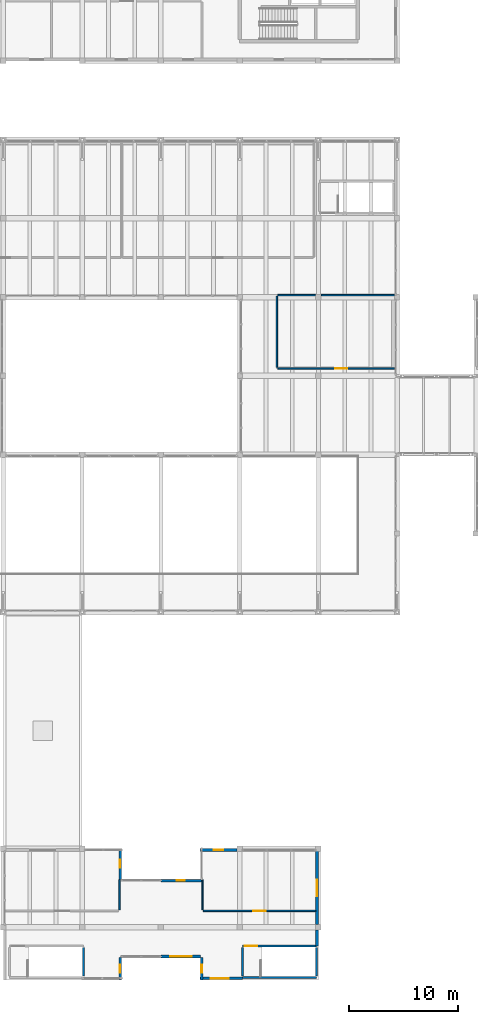
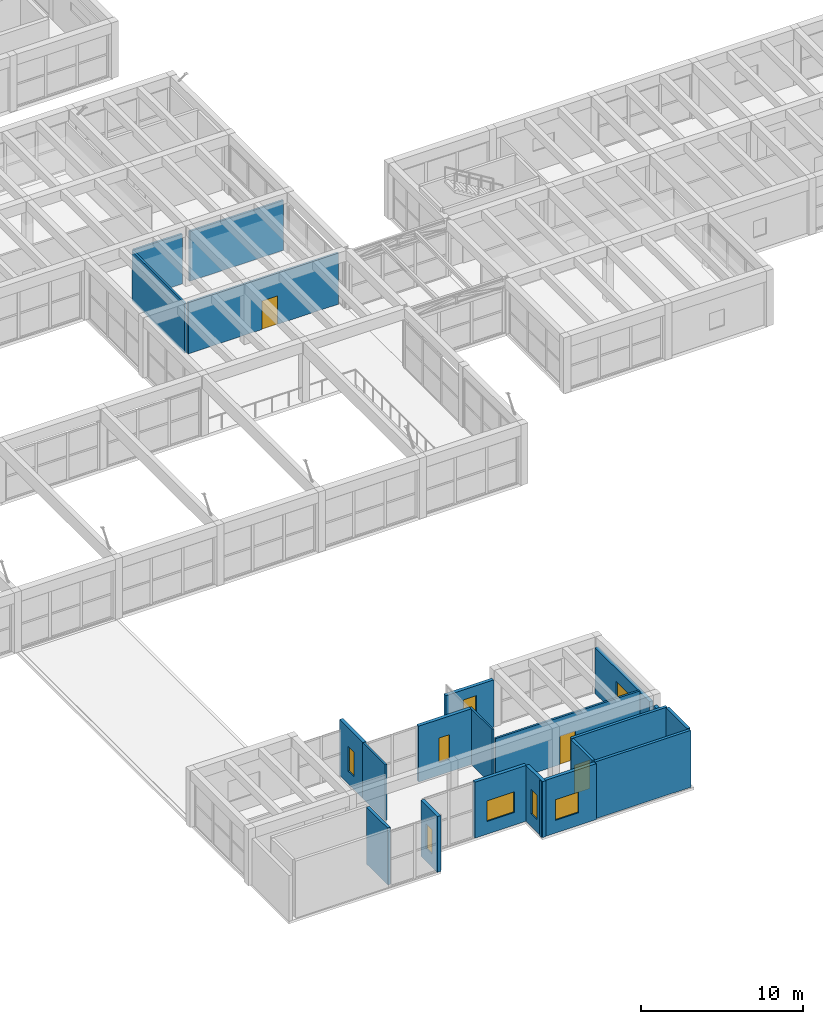
# One storey, part 136 of 153: 21 walls, 8 windows, 3 doors, 11 openings.
"""IFC4 building model written with IfcOpenShell, lengths in metres."""

from ifc_helpers import new_model, si_unit, direction, frame, frame_2d, origin, place, context, subcontext, project, spatial, rectangle, extrude, material, layer, layer_set, type_object, element, fill, save


model = new_model("IFC4")

# Units and contexts
model_context = context("Model", 3, precision=1e-05, world=origin(), true_north=direction((0.0, 1.0)))
body_context = subcontext(model_context, "Body", "Model", "MODEL_VIEW")
ifc_project = project(units=[si_unit("LENGTHUNIT", "METRE"), si_unit("AREAUNIT", "SQUARE_METRE"), si_unit("VOLUMEUNIT", "CUBIC_METRE"), si_unit("PLANEANGLEUNIT", "RADIAN"), si_unit("MASSUNIT", "GRAM", prefix="KILO")], contexts=[model_context])

# Site, building, storey
site_placement = place(None, origin())
site = spatial("IfcSite", under=ifc_project, at=site_placement, CompositionType="ELEMENT")
building_placement = place(site_placement, origin())
building = spatial("IfcBuilding", under=site, at=building_placement, Name="Bramvelor Terrace Health Centre", CompositionType="ELEMENT")
storey_placement = place(building_placement, frame((0.0, 0.0, 4.800048828125)))
storey = spatial("IfcBuildingStorey", under=building, at=storey_placement, Name="L02", CompositionType="ELEMENT", Elevation=4.800048828125)

# Walls
ifc_material_1 = material(Name="Acoustic clinical partition board", Category="gypsum")
ifc_layer_1 = layer(ifc_material_1, 0.1298828125)
ifc_layer_set_1 = layer_set([ifc_layer_1], Name="Acoustic clinical partition board")
wall_type_1 = type_object("IfcWallType", Name="WL-CLN-130", PredefinedType="PARTITIONING", material=ifc_layer_set_1)
for number, where, z_axis, x_axis, name in (
    (1, (68.199951171875, 11.55078125, 0.0), (0.0, 0.0, 1.0), (0.0, -1.0, 0.0), "L02 Interior Partition 184"),
    (2, (75.800048828125, 8.7919921875, 0.0), (0.0, 0.0, 1.0), (0.0, 1.0, 0.0), "L02 Interior Partition 187"),
):
    element("IfcWall", number, at=place(storey_placement, frame(where, z_axis=z_axis, x_axis=x_axis)), inside=storey, type_object=wall_type_1, Name=name, PredefinedType="PARTITIONING", context=body_context, shape_type="SweptSolid", body=[
        extrude(rectangle(XDim=2.7587890625, YDim=0.1298828125, at=frame_2d((1.37939453125, 0.0))), origin(), (0.0, 0.0, 1.0), 4.199951171875),
    ])

# Wall, opening, door
ifc_material_2 = material(Name="Fire-rated gypsum and mineral wool", Category="gypsum")
ifc_layer_2 = layer(ifc_material_2, 0.139892578125)
ifc_layer_set_2 = layer_set([ifc_layer_2], Name="Fire-rated gypsum and mineral wool")
wall_type_2 = type_object("IfcWallType", Name="WL-COR-140", PredefinedType="PARTITIONING", material=ifc_layer_set_2)
wall_1_placement = place(storey_placement, frame((93.3701171875, 58.302001953125, 0.0), z_axis=(0.0, 0.0, 1.0), x_axis=(-1.0, 0.0, 0.0)))
wall_1 = element("IfcWall", 3, at=wall_1_placement, inside=storey, type_object=wall_type_2, Name="L02 Interior Partition 163", PredefinedType="PARTITIONING", context=body_context, shape_type="SweptSolid", body=[
    extrude(rectangle(XDim=10.67822265625, YDim=0.139892578125, at=frame_2d((5.339111328125, 0.0))), origin(), (0.0, 0.0, 1.0), 3.849853515625),
])
opening_1_placement = place(wall_1_placement, frame((4.3291015625, 0.0, 0.0)))
opening_1 = element("IfcOpeningElement", 4, at=opening_1_placement, cuts=wall_1, Name="Opening FD-06", PredefinedType="OPENING", context=body_context, shape_type="SweptSolid", body=[
    extrude(rectangle(XDim=1.1201171875, YDim=2.139892578125, at=frame_2d((0.56005859375, 1.06982421875))), frame((0.0, 0.079833984375, 0.0), z_axis=(0.0, -1.0, 0.0), x_axis=(1.0, 0.0, 0.0)), (0.0, 0.0, 1.0), 0.159912109375),
])
ifc_material_3 = material(Name="Fire-rated steel and vision panel", Category="steel")
door_type = type_object("IfcDoorType", Name="DR-FD60-112", OperationType="NOTDEFINED", PredefinedType="DOOR", material=ifc_material_3)
door_1_placement = place(opening_1_placement, origin())
door_1 = element("IfcDoor", 5, at=door_1_placement, inside=storey, type_object=door_type, Name="L02 Preventive Cardiology and Spirometry Clinic Fire Door", OperationType="SINGLE_SWING_RIGHT", OverallHeight=2.139892578125, OverallWidth=1.1201171875, PredefinedType="DOOR", context=body_context, shape_type="SweptSolid", body=[
    extrude(rectangle(XDim=1.1201171875, YDim=2.139892578125, at=frame_2d((0.56005859375, 1.06982421875))), frame((0.0, 0.02490234375, 0.0), z_axis=(0.0, -1.0, 0.0), x_axis=(1.0, 0.0, 0.0)), (0.0, 0.0, 1.0), 0.050048828125),
])
fill(opening_1, door_1)

# Walls
wall_2_placement = place(storey_placement, frame((82.60205078125, 58.39208984375, 0.0), z_axis=(0.0, 0.0, 1.0), x_axis=(0.0, 1.0, 0.0)))
element("IfcWall", 6, at=wall_2_placement, inside=storey, type_object=wall_type_2, Name="L02 Interior Partition 164", PredefinedType="PARTITIONING", context=body_context, shape_type="SweptSolid", body=[
    extrude(rectangle(XDim=6.515869140625, YDim=0.139892578125, at=frame_2d((3.2578125, 0.0))), origin(), (0.0, 0.0, 1.0), 3.75),
])
wall_3_placement = place(storey_placement, frame((82.69189453125, 64.998046875, 0.0), z_axis=(0.0, 0.0, 1.0), x_axis=(1.0, 0.0, 0.0)))
element("IfcWall", 7, at=wall_3_placement, inside=storey, type_object=wall_type_2, Name="L02 Interior Partition 165", PredefinedType="PARTITIONING", context=body_context, shape_type="SweptSolid", body=[
    extrude(rectangle(XDim=3.443115234375, YDim=0.139892578125, at=frame_2d((1.7216796875, 0.0))), origin(), (0.0, 0.0, 1.0), 3.75),
])
wall_4_placement = place(storey_placement, frame((86.6650390625, 64.998046875, 0.0), z_axis=(0.0, 0.0, 1.0), x_axis=(1.0, 0.0, 0.0)))
element("IfcWall", 8, at=wall_4_placement, inside=storey, type_object=wall_type_2, Name="L02 Interior Partition 166", PredefinedType="PARTITIONING", context=body_context, shape_type="SweptSolid", body=[
    extrude(rectangle(XDim=6.6650390625, YDim=0.139892578125, at=frame_2d((3.33251953125, 0.0))), origin(), (0.0, 0.0, 1.0), 3.75),
])

# Wall, opening, door
wall_5_placement = place(storey_placement, frame((86.139892578125, 8.701904296875, 0.0), z_axis=(0.0, 0.0, 1.0), x_axis=(-1.0, 0.0, 0.0)))
wall_5 = element("IfcWall", 9, at=wall_5_placement, inside=storey, type_object=wall_type_2, Name="L02 Interior Partition 186", PredefinedType="PARTITIONING", context=body_context, shape_type="SweptSolid", body=[
    extrude(rectangle(XDim=10.25, YDim=0.139892578125, at=frame_2d((5.125, 0.0))), origin(), (0.0, 0.0, 1.0), 3.550048828125),
])
opening_2_placement = place(wall_5_placement, frame((4.56494140625, 0.0, 0.0)))
opening_2 = element("IfcOpeningElement", 10, at=opening_2_placement, cuts=wall_5, Name="Opening FD-06", PredefinedType="OPENING", context=body_context, shape_type="SweptSolid", body=[
    extrude(rectangle(XDim=1.1201171875, YDim=2.139892578125, at=frame_2d((0.56005859375, 1.06982421875))), frame((0.0, 0.079833984375, 0.0), z_axis=(0.0, -1.0, 0.0), x_axis=(1.0, 0.0, 0.0)), (0.0, 0.0, 1.0), 0.159912109375),
])
door_2_placement = place(opening_2_placement, origin())
door_2 = element("IfcDoor", 11, at=door_2_placement, inside=storey, type_object=door_type, Name="L02 Paediatric Motor Therapy Clinic Fire Door", OperationType="SINGLE_SWING_RIGHT", OverallHeight=2.139892578125, OverallWidth=1.1201171875, PredefinedType="DOOR", context=body_context, shape_type="SweptSolid", body=[
    extrude(rectangle(XDim=1.1201171875, YDim=2.139892578125, at=frame_2d((0.56005859375, 1.06982421875))), frame((0.0, 0.02490234375, 0.0), z_axis=(0.0, -1.0, 0.0), x_axis=(1.0, 0.0, 0.0)), (0.0, 0.0, 1.0), 0.050048828125),
])
fill(opening_2, door_2)

# Walls
ifc_material_4 = material(Name="Concrete C40/50", Category="concrete")
ifc_layer_3 = layer(ifc_material_4, 0.199951171875)
ifc_layer_set_3 = layer_set([ifc_layer_3], Name="Concrete C40/50")
wall_type_3 = type_object("IfcWallType", Name="WL-CORE-200", PredefinedType="SHEAR", material=ifc_layer_set_3)
wall_6_placement = place(storey_placement, frame((64.925048828125, 2.75, 0.0), z_axis=(0.0, 0.0, 1.0), x_axis=(0.0, 1.0, 0.0)))
element("IfcWall", 12, at=wall_6_placement, inside=storey, type_object=wall_type_3, Name="ST-9 L02 Stair Shaft Wall", PredefinedType="SHEAR", context=body_context, shape_type="SweptSolid", body=[
    extrude(rectangle(XDim=2.60009765625, YDim=0.199951171875, at=frame_2d((1.300048828125, 0.0))), origin(), (0.0, 0.0, 1.0), 4.27490234375),
])
wall_7_placement = place(storey_placement, frame((79.449951171875, 2.60009765625, 0.0), z_axis=(0.0, 0.0, 1.0), x_axis=(1.0, 0.0, 0.0)))
element("IfcWall", 13, at=wall_7_placement, inside=storey, type_object=wall_type_3, Name="ST-10 L02 Stair Shaft Wall", PredefinedType="SHEAR", context=body_context, shape_type="SweptSolid", body=[
    extrude(rectangle(XDim=6.775146484375, YDim=0.199951171875, at=frame_2d((3.3876953125, 0.0))), origin(), (0.0, 0.0, 1.0), 4.27490234375),
])

# Wall, opening, door
wall_8_placement = place(storey_placement, frame((79.449951171875, 5.5, 0.0), z_axis=(0.0, 0.0, 1.0), x_axis=(1.0, 0.0, 0.0)))
wall_8 = element("IfcWall", 14, at=wall_8_placement, inside=storey, type_object=wall_type_3, Name="ST-10 L02 Stair Shaft Wall", PredefinedType="SHEAR", context=body_context, shape_type="SweptSolid", body=[
    extrude(rectangle(XDim=6.775146484375, YDim=0.199951171875, at=frame_2d((3.3876953125, 0.0))), origin(), (0.0, 0.0, 1.0), 4.27490234375),
])
opening_3_placement = place(wall_8_placement, frame((0.219970703125, 0.0, 0.0)))
opening_3 = element("IfcOpeningElement", 15, at=opening_3_placement, cuts=wall_8, Name="Opening FD-06", PredefinedType="OPENING", context=body_context, shape_type="SweptSolid", body=[
    extrude(rectangle(XDim=1.1201171875, YDim=2.139892578125, at=frame_2d((0.56005859375, 1.06982421875))), frame((0.0, 0.10986328125, 0.0), z_axis=(0.0, -1.0, 0.0), x_axis=(1.0, 0.0, 0.0)), (0.0, 0.0, 1.0), 0.219970703125),
])
door_3_placement = place(opening_3_placement, origin())
door_3 = element("IfcDoor", 16, at=door_3_placement, inside=storey, type_object=door_type, Name="ST-10 L02 Exit Stair Fire Door", OperationType="SINGLE_SWING_RIGHT", OverallHeight=2.139892578125, OverallWidth=1.1201171875, PredefinedType="DOOR", context=body_context, shape_type="SweptSolid", body=[
    extrude(rectangle(XDim=1.1201171875, YDim=2.139892578125, at=frame_2d((0.56005859375, 1.06982421875))), frame((0.0, 0.02490234375, 0.0), z_axis=(0.0, -1.0, 0.0), x_axis=(1.0, 0.0, 0.0)), (0.0, 0.0, 1.0), 0.050048828125),
])
fill(opening_3, door_3)

# Walls
for number, where, z_axis, x_axis, name in (
    (17, (79.449951171875, 2.75, 0.0), (0.0, 0.0, 1.0), (0.0, 1.0, 0.0), "ST-10 L02 Stair Shaft Wall"),
    (18, (86.22509765625, 2.75, 0.0), (0.0, 0.0, 1.0), (0.0, 1.0, 0.0), "ST-10 L02 Stair Shaft Wall"),
):
    element("IfcWall", number, at=place(storey_placement, frame(where, z_axis=z_axis, x_axis=x_axis)), inside=storey, type_object=wall_type_3, Name=name, PredefinedType="SHEAR", context=body_context, shape_type="SweptSolid", body=[
        extrude(rectangle(XDim=2.60009765625, YDim=0.199951171875, at=frame_2d((1.300048828125, 0.0))), origin(), (0.0, 0.0, 1.0), 4.27490234375),
    ])

# Wall, opening, window
ifc_material_5 = material(Name="Precast concrete C40/50", Category="concrete")
ifc_layer_4 = layer(ifc_material_5, 0.239990234375)
ifc_layer_set_4 = layer_set([ifc_layer_4], Name="Precast concrete C40/50")
wall_type_4 = type_object("IfcWallType", Name="WL-EXT-RC240", PredefinedType="SOLIDWALL", material=ifc_layer_set_4)
wall_9_placement = place(storey_placement, frame((86.27001953125, 14.155029296875, 0.0), z_axis=(0.0, 0.0, 1.0), x_axis=(0.0, -1.0, 0.0)))
wall_9 = element("IfcWall", 19, at=wall_9_placement, inside=storey, type_object=wall_type_4, Name="L02 Exterior Facade Wall 131", PredefinedType="SOLIDWALL", context=body_context, shape_type="SweptSolid", body=[
    extrude(rectangle(XDim=6.7099609375, YDim=0.239990234375, at=frame_2d((3.35498046875, 0.0))), origin(), (0.0, 0.0, 1.0), 3.449951171875),
])
opening_4_placement = place(wall_9_placement, frame((2.60498046875, 0.0, 0.949951171875)))
opening_4 = element("IfcOpeningElement", 20, at=opening_4_placement, cuts=wall_9, Name="Opening WN-42", PredefinedType="OPENING", context=body_context, shape_type="SweptSolid", body=[
    extrude(rectangle(XDim=1.5, YDim=1.550048828125, at=frame_2d((0.75, 0.77490234375))), frame((0.0, 0.1298828125, 0.0), z_axis=(0.0, -1.0, 0.0), x_axis=(1.0, 0.0, 0.0)), (0.0, 0.0, 1.0), 0.260009765625),
])
ifc_material_6 = material(Name="Double low-E laminated glass", Category="glass")
window_type_1 = type_object("IfcWindowType", Name="WIN-EXT-42", PartitioningType="SINGLE_PANEL", PredefinedType="WINDOW", material=ifc_material_6)
window_1_placement = place(opening_4_placement, origin())
window_1 = element("IfcWindow", 21, at=window_1_placement, inside=storey, type_object=window_type_1, Name="L02 Scheduled Clinical Window 102", OverallHeight=1.550048828125, OverallWidth=1.5, PartitioningType="SINGLE_PANEL", PredefinedType="WINDOW", context=body_context, shape_type="SweptSolid", body=[
    extrude(rectangle(XDim=1.5, YDim=1.550048828125, at=frame_2d((0.75, 0.77490234375))), frame((0.0, 0.030029296875, 0.0), z_axis=(0.0, -1.0, 0.0), x_axis=(1.0, 0.0, 0.0)), (0.0, 0.0, 1.0), 0.06005859375),
])
fill(opening_4, window_1)

# Wall
wall_10_placement = place(storey_placement, frame((86.27001953125, 6.955078125, 0.0), z_axis=(0.0, 0.0, 1.0), x_axis=(0.0, -1.0, 0.0)))
element("IfcWall", 22, at=wall_10_placement, inside=storey, type_object=wall_type_4, Name="L02 Exterior Facade Wall 132", PredefinedType="SOLIDWALL", context=body_context, shape_type="SweptSolid", body=[
    extrude(rectangle(XDim=1.455078125, YDim=0.239990234375, at=frame_2d((0.7275390625, 0.0))), origin(), (0.0, 0.0, 1.0), 3.449951171875),
])

# Wall, opening, window
wall_11_placement = place(storey_placement, frame((79.4609375, 2.530029296875, 0.0), z_axis=(0.0, 0.0, 1.0), x_axis=(-1.0, 0.0, 0.0)))
wall_11 = element("IfcWall", 23, at=wall_11_placement, inside=storey, type_object=wall_type_4, Name="L02 Exterior Facade Wall 133", PredefinedType="SOLIDWALL", context=body_context, shape_type="SweptSolid", body=[
    extrude(rectangle(XDim=3.90087890625, YDim=0.239990234375, at=frame_2d((1.950439453125, 0.0))), origin(), (0.0, 0.0, 1.0), 4.199951171875),
])
opening_5_placement = place(wall_11_placement, frame((1.256103515625, 0.0, 0.949951171875)))
opening_5 = element("IfcOpeningElement", 24, at=opening_5_placement, cuts=wall_11, Name="Opening WN-43", PredefinedType="OPENING", context=body_context, shape_type="SweptSolid", body=[
    extrude(rectangle(XDim=1.64990234375, YDim=1.550048828125, at=frame_2d((0.824951171875, 0.77490234375))), frame((0.0, 0.1298828125, 0.0), z_axis=(0.0, -1.0, 0.0), x_axis=(1.0, 0.0, 0.0)), (0.0, 0.0, 1.0), 0.260009765625),
])
ifc_material_7 = material(Name="Double low-E laminated glass", Category="glass")
window_type_2 = type_object("IfcWindowType", Name="WIN-EXT-43", PartitioningType="SINGLE_PANEL", PredefinedType="WINDOW", material=ifc_material_7)
window_2_placement = place(opening_5_placement, origin())
window_2 = element("IfcWindow", 25, at=window_2_placement, inside=storey, type_object=window_type_2, Name="L02 Scheduled Clinical Window 103", OverallHeight=1.550048828125, OverallWidth=1.64990234375, PartitioningType="SINGLE_PANEL", PredefinedType="WINDOW", context=body_context, shape_type="SweptSolid", body=[
    extrude(rectangle(XDim=1.64990234375, YDim=1.550048828125, at=frame_2d((0.824951171875, 0.77490234375))), frame((0.0, 0.030029296875, 0.0), z_axis=(0.0, -1.0, 0.0), x_axis=(1.0, 0.0, 0.0)), (0.0, 0.0, 1.0), 0.06005859375),
])
fill(opening_5, window_2)

wall_12_placement = place(storey_placement, frame((75.72998046875, 2.3798828125, 0.0), z_axis=(0.0, 0.0, 1.0), x_axis=(0.0, 1.0, 0.0)))
wall_12 = element("IfcWall", 26, at=wall_12_placement, inside=storey, type_object=wall_type_4, Name="L02 Exterior Facade Wall 134", PredefinedType="SOLIDWALL", context=body_context, shape_type="SweptSolid", body=[
    extrude(rectangle(XDim=2.0400390625, YDim=0.239990234375, at=frame_2d((1.02001953125, 0.0))), origin(), (0.0, 0.0, 1.0), 4.199951171875),
])
opening_6_placement = place(wall_12_placement, frame((0.64501953125, 0.0, 0.949951171875)))
opening_6 = element("IfcOpeningElement", 27, at=opening_6_placement, cuts=wall_12, Name="Opening WN-49", PredefinedType="OPENING", context=body_context, shape_type="SweptSolid", body=[
    extrude(rectangle(XDim=0.75, YDim=1.85009765625, at=frame_2d((0.375, 0.925048828125))), frame((0.0, 0.1298828125, 0.0), z_axis=(0.0, -1.0, 0.0), x_axis=(1.0, 0.0, 0.0)), (0.0, 0.0, 1.0), 0.260009765625),
])
ifc_material_8 = material(Name="Double low-E laminated glass", Category="glass")
window_type_3 = type_object("IfcWindowType", Name="WIN-EXT-49", PartitioningType="SINGLE_PANEL", PredefinedType="WINDOW", material=ifc_material_8)
window_3_placement = place(opening_6_placement, origin())
window_3 = element("IfcWindow", 28, at=window_3_placement, inside=storey, type_object=window_type_3, Name="L02 Scheduled Clinical Window 104", OverallHeight=1.85009765625, OverallWidth=0.75, PartitioningType="SINGLE_PANEL", PredefinedType="WINDOW", context=body_context, shape_type="SweptSolid", body=[
    extrude(rectangle(XDim=0.75, YDim=1.85009765625, at=frame_2d((0.375, 0.925048828125))), frame((0.0, 0.030029296875, 0.0), z_axis=(0.0, -1.0, 0.0), x_axis=(1.0, 0.0, 0.0)), (0.0, 0.0, 1.0), 0.06005859375),
])
fill(opening_6, window_3)

wall_13_placement = place(storey_placement, frame((75.639892578125, 4.530029296875, 0.0), z_axis=(0.0, 0.0, 1.0), x_axis=(-1.0, 0.0, 0.0)))
wall_13 = element("IfcWall", 29, at=wall_13_placement, inside=storey, type_object=wall_type_4, Name="L02 Exterior Facade Wall 135", PredefinedType="SOLIDWALL", context=body_context, shape_type="SweptSolid", body=[
    extrude(rectangle(XDim=3.639892578125, YDim=0.239990234375, at=frame_2d((1.81982421875, 0.0))), origin(), (0.0, 0.0, 1.0), 4.199951171875),
])
opening_7_placement = place(wall_13_placement, frame((0.844970703125, 0.0, 0.949951171875)))
opening_7 = element("IfcOpeningElement", 30, at=opening_7_placement, cuts=wall_13, Name="Opening WN-45", PredefinedType="OPENING", context=body_context, shape_type="SweptSolid", body=[
    extrude(rectangle(XDim=1.949951171875, YDim=1.550048828125, at=frame_2d((0.97509765625, 0.77490234375))), frame((0.0, 0.1298828125, 0.0), z_axis=(0.0, -1.0, 0.0), x_axis=(1.0, 0.0, 0.0)), (0.0, 0.0, 1.0), 0.260009765625),
])
ifc_material_9 = material(Name="Double low-E laminated glass", Category="glass")
window_type_4 = type_object("IfcWindowType", Name="WIN-EXT-45", PartitioningType="SINGLE_PANEL", PredefinedType="WINDOW", material=ifc_material_9)
window_4_placement = place(opening_7_placement, origin())
window_4 = element("IfcWindow", 31, at=window_4_placement, inside=storey, type_object=window_type_4, Name="L02 Scheduled Clinical Window 105", OverallHeight=1.550048828125, OverallWidth=1.949951171875, PartitioningType="SINGLE_PANEL", PredefinedType="WINDOW", context=body_context, shape_type="SweptSolid", body=[
    extrude(rectangle(XDim=1.949951171875, YDim=1.550048828125, at=frame_2d((0.97509765625, 0.77490234375))), frame((0.0, 0.030029296875, 0.0), z_axis=(0.0, -1.0, 0.0), x_axis=(1.0, 0.0, 0.0)), (0.0, 0.0, 1.0), 0.06005859375),
])
fill(opening_7, window_4)

wall_14_placement = place(storey_placement, frame((68.27001953125, 4.419921875, 0.0), z_axis=(0.0, 0.0, 1.0), x_axis=(0.0, -1.0, 0.0)))
wall_14 = element("IfcWall", 32, at=wall_14_placement, inside=storey, type_object=wall_type_4, Name="L02 Exterior Facade Wall 137", PredefinedType="SOLIDWALL", context=body_context, shape_type="SweptSolid", body=[
    extrude(rectangle(XDim=2.0400390625, YDim=0.239990234375, at=frame_2d((1.02001953125, 0.0))), origin(), (0.0, 0.0, 1.0), 4.199951171875),
])
opening_8_placement = place(wall_14_placement, frame((0.64501953125, 0.0, 0.949951171875)))
opening_8 = element("IfcOpeningElement", 33, at=opening_8_placement, cuts=wall_14, Name="Opening WN-49", PredefinedType="OPENING", context=body_context, shape_type="SweptSolid", body=[
    extrude(rectangle(XDim=0.75, YDim=1.85009765625, at=frame_2d((0.375, 0.925048828125))), frame((0.0, 0.1298828125, 0.0), z_axis=(0.0, -1.0, 0.0), x_axis=(1.0, 0.0, 0.0)), (0.0, 0.0, 1.0), 0.260009765625),
])
window_5_placement = place(opening_8_placement, origin())
window_5 = element("IfcWindow", 34, at=window_5_placement, inside=storey, type_object=window_type_3, Name="L02 Scheduled Clinical Window 106", OverallHeight=1.85009765625, OverallWidth=0.75, PartitioningType="SINGLE_PANEL", PredefinedType="WINDOW", context=body_context, shape_type="SweptSolid", body=[
    extrude(rectangle(XDim=0.75, YDim=1.85009765625, at=frame_2d((0.375, 0.925048828125))), frame((0.0, 0.030029296875, 0.0), z_axis=(0.0, -1.0, 0.0), x_axis=(1.0, 0.0, 0.0)), (0.0, 0.0, 1.0), 0.06005859375),
])
fill(opening_8, window_5)

wall_15_placement = place(storey_placement, frame((68.27001953125, 14.419921875, 0.0), z_axis=(0.0, 0.0, 1.0), x_axis=(0.0, -1.0, 0.0)))
wall_15 = element("IfcWall", 35, at=wall_15_placement, inside=storey, type_object=wall_type_4, Name="L02 Exterior Facade Wall 143", PredefinedType="SOLIDWALL", context=body_context, shape_type="SweptSolid", body=[
    extrude(rectangle(XDim=2.880859375, YDim=0.239990234375, at=frame_2d((1.4404296875, 0.0))), origin(), (0.0, 0.0, 1.0), 4.199951171875),
])
opening_9_placement = place(wall_15_placement, frame((1.044921875, 0.0, 0.949951171875)))
opening_9 = element("IfcOpeningElement", 36, at=opening_9_placement, cuts=wall_15, Name="Opening WN-49", PredefinedType="OPENING", context=body_context, shape_type="SweptSolid", body=[
    extrude(rectangle(XDim=0.75, YDim=1.85009765625, at=frame_2d((0.375, 0.925048828125))), frame((0.0, 0.1298828125, 0.0), z_axis=(0.0, -1.0, 0.0), x_axis=(1.0, 0.0, 0.0)), (0.0, 0.0, 1.0), 0.260009765625),
])
window_6_placement = place(opening_9_placement, origin())
window_6 = element("IfcWindow", 37, at=window_6_placement, inside=storey, type_object=window_type_3, Name="L02 Scheduled Clinical Window 108", OverallHeight=1.85009765625, OverallWidth=0.75, PartitioningType="SINGLE_PANEL", PredefinedType="WINDOW", context=body_context, shape_type="SweptSolid", body=[
    extrude(rectangle(XDim=0.75, YDim=1.85009765625, at=frame_2d((0.375, 0.925048828125))), frame((0.0, 0.030029296875, 0.0), z_axis=(0.0, -1.0, 0.0), x_axis=(1.0, 0.0, 0.0)), (0.0, 0.0, 1.0), 0.06005859375),
])
fill(opening_9, window_6)

wall_16_placement = place(storey_placement, frame((72.0, 11.469970703125, 0.0), z_axis=(0.0, 0.0, 1.0), x_axis=(1.0, 0.0, 0.0)))
wall_16 = element("IfcWall", 38, at=wall_16_placement, inside=storey, type_object=wall_type_4, Name="L02 Exterior Facade Wall 145", PredefinedType="SOLIDWALL", context=body_context, shape_type="SweptSolid", body=[
    extrude(rectangle(XDim=3.7509765625, YDim=0.239990234375, at=frame_2d((1.87548828125, 0.0))), origin(), (0.0, 0.0, 1.0), 4.199951171875),
])
opening_10_placement = place(wall_16_placement, frame((1.445068359375, 0.0, 0.949951171875)))
opening_10 = element("IfcOpeningElement", 39, at=opening_10_placement, cuts=wall_16, Name="Opening WN-49", PredefinedType="OPENING", context=body_context, shape_type="SweptSolid", body=[
    extrude(rectangle(XDim=0.75, YDim=1.85009765625, at=frame_2d((0.375, 0.925048828125))), frame((0.0, 0.1298828125, 0.0), z_axis=(0.0, -1.0, 0.0), x_axis=(1.0, 0.0, 0.0)), (0.0, 0.0, 1.0), 0.260009765625),
])
window_7_placement = place(opening_10_placement, origin())
window_7 = element("IfcWindow", 40, at=window_7_placement, inside=storey, type_object=window_type_3, Name="L02 Scheduled Clinical Window 109", OverallHeight=1.85009765625, OverallWidth=0.75, PartitioningType="SINGLE_PANEL", PredefinedType="WINDOW", context=body_context, shape_type="SweptSolid", body=[
    extrude(rectangle(XDim=0.75, YDim=1.85009765625, at=frame_2d((0.375, 0.925048828125))), frame((0.0, 0.030029296875, 0.0), z_axis=(0.0, -1.0, 0.0), x_axis=(1.0, 0.0, 0.0)), (0.0, 0.0, 1.0), 0.06005859375),
])
fill(opening_10, window_7)

wall_17_placement = place(storey_placement, frame((75.56005859375, 14.27001953125, 0.0), z_axis=(0.0, 0.0, 1.0), x_axis=(1.0, 0.0, 0.0)))
wall_17 = element("IfcWall", 41, at=wall_17_placement, inside=storey, type_object=wall_type_4, Name="L02 Exterior Facade Wall 147", PredefinedType="SOLIDWALL", context=body_context, shape_type="SweptSolid", body=[
    extrude(rectangle(XDim=3.39501953125, YDim=0.239990234375, at=frame_2d((1.697509765625, 0.0))), origin(), (0.0, 0.0, 1.0), 3.550048828125),
])
opening_11_placement = place(wall_17_placement, frame((1.24755859375, 0.0, 0.949951171875)))
opening_11 = element("IfcOpeningElement", 42, at=opening_11_placement, cuts=wall_17, Name="Opening WN-50", PredefinedType="OPENING", context=body_context, shape_type="SweptSolid", body=[
    extrude(rectangle(XDim=0.89990234375, YDim=1.85009765625, at=frame_2d((0.449951171875, 0.925048828125))), frame((0.0, 0.1298828125, 0.0), z_axis=(0.0, -1.0, 0.0), x_axis=(1.0, 0.0, 0.0)), (0.0, 0.0, 1.0), 0.260009765625),
])
ifc_material_10 = material(Name="Double low-E laminated glass", Category="glass")
window_type_5 = type_object("IfcWindowType", Name="WIN-EXT-50", PartitioningType="SINGLE_PANEL", PredefinedType="WINDOW", material=ifc_material_10)
window_8_placement = place(opening_11_placement, origin())
window_8 = element("IfcWindow", 43, at=window_8_placement, inside=storey, type_object=window_type_5, Name="L02 Scheduled Clinical Window 110", OverallHeight=1.85009765625, OverallWidth=0.89990234375, PartitioningType="SINGLE_PANEL", PredefinedType="WINDOW", context=body_context, shape_type="SweptSolid", body=[
    extrude(rectangle(XDim=0.89990234375, YDim=1.85009765625, at=frame_2d((0.449951171875, 0.925048828125))), frame((0.0, 0.030029296875, 0.0), z_axis=(0.0, -1.0, 0.0), x_axis=(1.0, 0.0, 0.0)), (0.0, 0.0, 1.0), 0.06005859375),
])
fill(opening_11, window_8)

save(model, "model.ifc")
